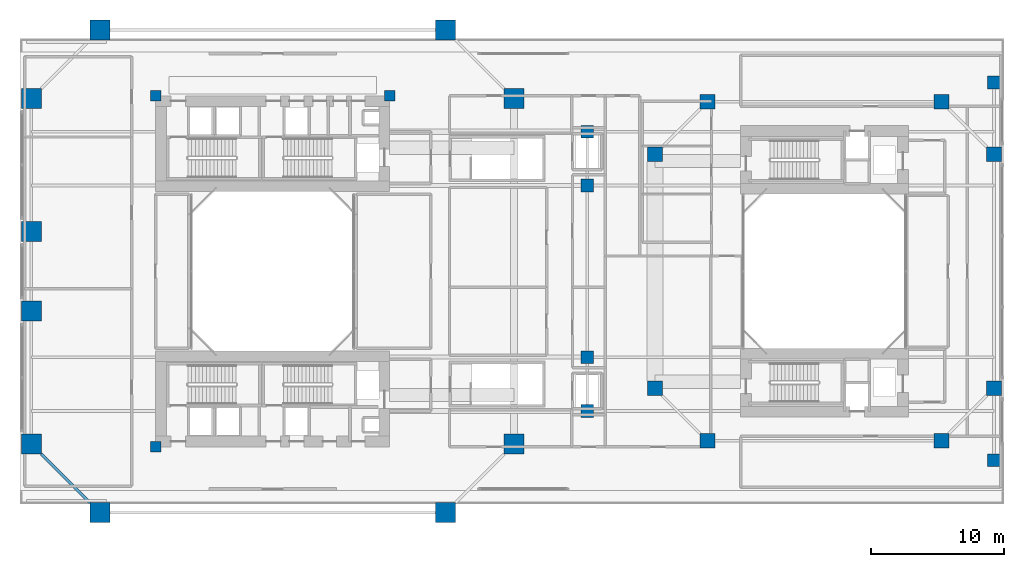
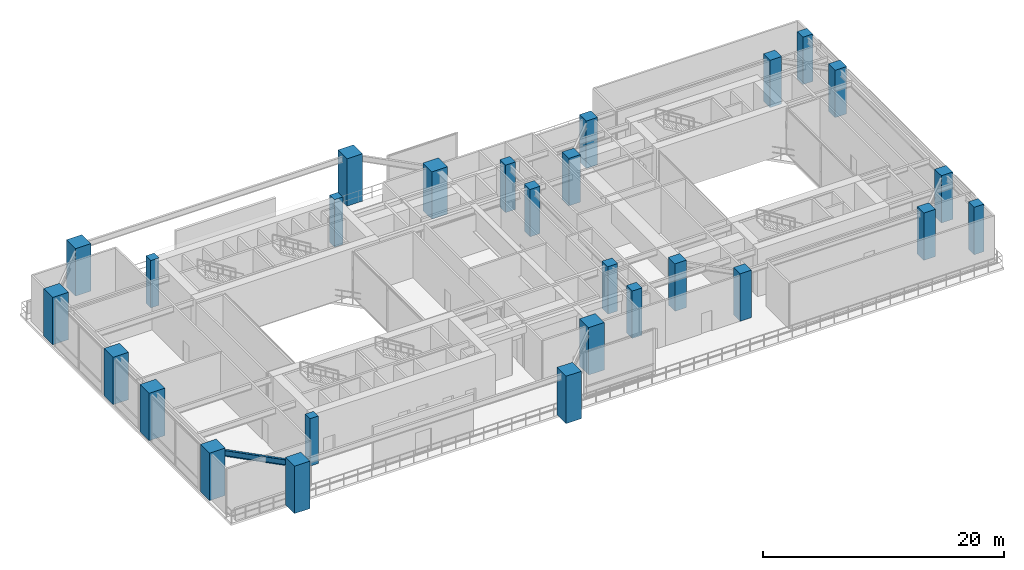
# One storey, part 1 of 19: 27 columns, 1 beam.
"""IFC4 building model written with IfcOpenShell, lengths in metres."""

from ifc_helpers import new_model, si_unit, direction, frame, origin, origin_2d, place, context, subcontext, project, spatial, rectangle, i_section, extrude, source, transform, mapped, material, material_profile, profile_set, type_object, element, save


model = new_model("IFC4")

# Units and contexts
model_context = context("Model", 3, precision=1e-05, world=origin(), true_north=direction((0.0, 1.0)))
body_context = subcontext(model_context, "Body", "Model", "MODEL_VIEW")
ifc_project = project(units=[si_unit("LENGTHUNIT", "METRE"), si_unit("AREAUNIT", "SQUARE_METRE"), si_unit("VOLUMEUNIT", "CUBIC_METRE"), si_unit("PLANEANGLEUNIT", "RADIAN"), si_unit("MASSUNIT", "GRAM", prefix="KILO"), si_unit("THERMODYNAMICTEMPERATUREUNIT", "KELVIN"), si_unit("POWERUNIT", "WATT")], contexts=[model_context])

# Site, building, storey
site_placement = place(None, origin())
site = spatial("IfcSite", under=ifc_project, at=site_placement, CompositionType="ELEMENT")
building_placement = place(site_placement, origin())
building = spatial("IfcBuilding", under=site, at=building_placement, Name="Qiaomeng Ring Towers", CompositionType="ELEMENT")
storey_placement = place(building_placement, frame((0.0, 0.0, 18.199951171875)))
storey = spatial("IfcBuildingStorey", under=building, at=storey_placement, Name="L04", CompositionType="ELEMENT", Elevation=18.199951171875)

# Columns
ifc_material_1 = material(Name="Concrete C60", Category="concrete")
ifc_material_profile_1 = material_profile(ifc_material_1, rectangle(XDim=1.5, YDim=1.5, at=origin_2d()), Name="RC COL 1500x1500")
ifc_profile_set_1 = profile_set([ifc_material_profile_1], Name="Concrete C60")
column_type_1 = type_object("IfcColumnType", Name="STR-COL-1500", PredefinedType="COLUMN", material=ifc_profile_set_1)
shared_shape_1 = source(origin(), body_context, "Body", "SweptSolid", [
    extrude(rectangle(XDim=1.5, YDim=1.5, at=origin_2d()), origin(), (0.0, 0.0, 1.0), 4.800048828125),
])
for number, where, z_axis, x_axis, name in (
    (1, (6.0, 4.85009765625, 0.0), (0.0, 0.0, 1.0), (1.0, 0.0, 0.0), "L04 column STR-COL-L04-T1-S1"),
    (2, (32.0, 4.85009765625, 0.0), (0.0, 0.0, 1.0), (1.0, 0.0, 0.0), "L04 column STR-COL-L04-T1-S2"),
    (3, (37.14990234375, 10.0, 0.0), (0.0, 0.0, 1.0), (1.0, 0.0, 0.0), "L04 column STR-COL-L04-T1-E1"),
    (4, (37.14990234375, 36.0, 0.0), (0.0, 0.0, 1.0), (1.0, 0.0, 0.0), "L04 column STR-COL-L04-T1-E4"),
    (5, (32.0, 41.14990234375, 0.0), (0.0, 0.0, 1.0), (1.0, 0.0, 0.0), "L04 column STR-COL-L04-T1-N2"),
    (6, (6.0, 41.14990234375, 0.0), (0.0, 0.0, 1.0), (1.0, 0.0, 0.0), "L04 column STR-COL-L04-T1-N1"),
    (7, (0.85009765625, 36.0, 0.0), (0.0, 0.0, 1.0), (1.0, 0.0, 0.0), "L04 column STR-COL-L04-T1-W4"),
    (8, (0.85009765625, 26.0, 0.0), (0.0, 0.0, 1.0), (1.0, 0.0, 0.0), "L04 column STR-COL-L04-T1-W3"),
    (9, (0.85009765625, 20.0, 0.0), (0.0, 0.0, 1.0), (1.0, 0.0, 0.0), "L04 column STR-COL-L04-T1-W2"),
    (10, (0.85009765625, 10.0, 0.0), (0.0, 0.0, 1.0), (1.0, 0.0, 0.0), "L04 column STR-COL-L04-T1-W1"),
):
    element("IfcColumn", number, at=place(storey_placement, frame(where, z_axis=z_axis, x_axis=x_axis)), inside=storey, type_object=column_type_1, Name=name, PredefinedType="COLUMN", context=body_context, shape_type="MappedRepresentation", body=[
        mapped(shared_shape_1, transform((0.0, 0.0, 0.0), x_axis=(1.0, 0.0, 0.0), y_axis=(0.0, 1.0, 0.0), z_axis=(0.0, 0.0, 1.0), scale=1.0)),
    ])
ifc_material_profile_2 = material_profile(ifc_material_1, rectangle(XDim=1.10009765625, YDim=1.10009765625, at=origin_2d()), Name="RC COL 1100x1100")
ifc_profile_set_2 = profile_set([ifc_material_profile_2], Name="Concrete C60")
column_type_2 = type_object("IfcColumnType", Name="STR-COL-1100-C60", PredefinedType="COLUMN", material=ifc_profile_set_2)
shared_shape_2 = source(origin(), body_context, "Body", "SweptSolid", [
    extrude(rectangle(XDim=1.10009765625, YDim=1.10009765625, at=origin_2d()), origin(), (0.0, 0.0, 1.0), 4.800048828125),
])
for number, where, z_axis, x_axis, name in (
    (11, (51.699951171875, 10.25, 0.0), (0.0, 0.0, 1.0), (1.0, 0.0, 0.0), "L04 column STR-COL-L04-T2-S1"),
    (12, (69.300048828125, 10.25, 0.0), (0.0, 0.0, 1.0), (1.0, 0.0, 0.0), "L04 column STR-COL-L04-T2-S2"),
    (13, (73.25, 14.199951171875, 0.0), (0.0, 0.0, 1.0), (1.0, 0.0, 0.0), "L04 column STR-COL-L04-T2-E1"),
    (14, (73.25, 31.800048828125, 0.0), (0.0, 0.0, 1.0), (1.0, 0.0, 0.0), "L04 column STR-COL-L04-T2-E2"),
    (15, (69.300048828125, 35.75, 0.0), (0.0, 0.0, 1.0), (1.0, 0.0, 0.0), "L04 column STR-COL-L04-T2-N2"),
    (16, (51.699951171875, 35.75, 0.0), (0.0, 0.0, 1.0), (1.0, 0.0, 0.0), "L04 column STR-COL-L04-T2-N1"),
    (17, (47.75, 14.199951171875, 0.0), (0.0, 0.0, 1.0), (1.0, 0.0, 0.0), "L04 column STR-COL-L04-T2-W1"),
    (18, (47.75, 31.800048828125, 0.0), (0.0, 0.0, 1.0), (1.0, 0.0, 0.0), "L04 column STR-COL-L04-T2-W4"),
):
    element("IfcColumn", number, at=place(storey_placement, frame(where, z_axis=z_axis, x_axis=x_axis)), inside=storey, type_object=column_type_2, Name=name, PredefinedType="COLUMN", context=body_context, shape_type="MappedRepresentation", body=[
        mapped(shared_shape_2, transform((0.0, 0.0, 0.0), x_axis=(1.0, 0.0, 0.0), y_axis=(0.0, 1.0, 0.0), z_axis=(0.0, 0.0, 1.0), scale=1.0)),
    ])
ifc_material_profile_3 = material_profile(ifc_material_1, rectangle(XDim=0.949951171875, YDim=0.949951171875, at=origin_2d()), Name="RC COL 950x950")
ifc_profile_set_3 = profile_set([ifc_material_profile_3], Name="Concrete C60")
column_type_3 = type_object("IfcColumnType", Name="STR-COL-950-C60", PredefinedType="COLUMN", material=ifc_profile_set_3)
shared_shape_3 = source(origin(), body_context, "Body", "SweptSolid", [
    extrude(rectangle(XDim=0.949951171875, YDim=0.949951171875, at=origin_2d()), origin(), (0.0, 0.0, 1.0), 4.800048828125),
])
for number, where, z_axis, x_axis, name in (
    (19, (42.64990234375, 12.5, 0.0), (0.0, 0.0, 1.0), (1.0, 0.0, 0.0), "L04 column STR-COL-L04-P1"),
    (20, (42.64990234375, 16.550048828125, 0.0), (0.0, 0.0, 1.0), (1.0, 0.0, 0.0), "L04 column STR-COL-L04-P2S"),
    (21, (42.64990234375, 29.449951171875, 0.0), (0.0, 0.0, 1.0), (1.0, 0.0, 0.0), "L04 column STR-COL-L04-P2N"),
    (22, (42.64990234375, 33.5, 0.0), (0.0, 0.0, 1.0), (1.0, 0.0, 0.0), "L04 column STR-COL-L04-P3"),
    (23, (73.25, 8.800048828125, 0.0), (0.0, 0.0, 1.0), (1.0, 0.0, 0.0), "L04 column STR-COL-L04-PES"),
    (24, (73.25, 37.199951171875, 0.0), (0.0, 0.0, 1.0), (1.0, 0.0, 0.0), "L04 column STR-COL-L04-PEN"),
):
    element("IfcColumn", number, at=place(storey_placement, frame(where, z_axis=z_axis, x_axis=x_axis)), inside=storey, type_object=column_type_3, Name=name, PredefinedType="COLUMN", context=body_context, shape_type="MappedRepresentation", body=[
        mapped(shared_shape_3, transform((0.0, 0.0, 0.0), x_axis=(1.0, 0.0, 0.0), y_axis=(0.0, 1.0, 0.0), z_axis=(0.0, 0.0, 1.0), scale=1.0)),
    ])
ifc_material_profile_4 = material_profile(ifc_material_1, rectangle(XDim=0.800048828125, YDim=0.800048828125, at=origin_2d()), Name="RC COL 800x800")
ifc_profile_set_4 = profile_set([ifc_material_profile_4], Name="Concrete C60")
column_type_4 = type_object("IfcColumnType", Name="STR-PIL-800", PredefinedType="PILASTER", material=ifc_profile_set_4)
shared_shape_4 = source(origin(), body_context, "Body", "SweptSolid", [
    extrude(rectangle(XDim=0.800048828125, YDim=0.800048828125, at=origin_2d()), origin(), (0.0, 0.0, 1.0), 4.800048828125),
])
for number, where, z_axis, x_axis, name in (
    (25, (10.199951171875, 36.199951171875, 0.0), (0.0, 0.0, 1.0), (1.0, 0.0, 0.0), "L04 column STR-PIL-L04-PL-N1"),
    (26, (10.199951171875, 9.800048828125, 0.0), (0.0, 0.0, 1.0), (1.0, 0.0, 0.0), "L04 column STR-PIL-L04-PL-S1"),
    (27, (27.800048828125, 36.199951171875, 0.0), (0.0, 0.0, 1.0), (1.0, 0.0, 0.0), "L04 column STR-PIL-L04-PL-N2"),
):
    element("IfcColumn", number, at=place(storey_placement, frame(where, z_axis=z_axis, x_axis=x_axis)), inside=storey, type_object=column_type_4, Name=name, PredefinedType="PILASTER", context=body_context, shape_type="MappedRepresentation", body=[
        mapped(shared_shape_4, transform((0.0, 0.0, 0.0), x_axis=(1.0, 0.0, 0.0), y_axis=(0.0, 1.0, 0.0), z_axis=(0.0, 0.0, 1.0), scale=1.0)),
    ])

# Beam
ifc_material_2 = material(Name="Steel Q355B", Category="steel")
ifc_material_profile_5 = material_profile(ifc_material_2, i_section(OverallWidth=0.199951171875, OverallDepth=0.60009765625, WebThickness=0.010986328125, FlangeThickness=0.01708984375, FilletRadius=0.02197265625, at=origin_2d()), Name="HN 600x200x11x17")
ifc_profile_set_5 = profile_set([ifc_material_profile_5], Name="Steel Q355B")
beam_type = type_object("IfcBeamType", Name="STR-BM-HN600", PredefinedType="BEAM", material=ifc_profile_set_5)
shared_shape_5 = source(origin(), body_context, "Body", "SweptSolid", [
    extrude(i_section(OverallWidth=0.199951171875, OverallDepth=0.60009765625, WebThickness=0.010986328125, FlangeThickness=0.01708984375, FilletRadius=0.02197265625, at=origin_2d()), origin(), (0.0, 0.0, 1.0), 5.163818359375),
])
beam_placement = place(storey_placement, frame((1.599365234375, 9.250732421875, 4.320068359375), z_axis=(0.707106781187, -0.707106781187, 0.0), x_axis=(0.707106781187, 0.707106781187, 0.0)))
element("IfcBeam", 28, at=beam_placement, inside=storey, type_object=beam_type, Name="L04 beam STR-SP-L04-T1-0", PredefinedType="BEAM", context=body_context, shape_type="MappedRepresentation", body=[
    mapped(shared_shape_5, transform((0.0, 0.0, 0.0), x_axis=(1.0, 0.0, 0.0), y_axis=(0.0, 1.0, 0.0), z_axis=(0.0, 0.0, 1.0), scale=1.0)),
])

save(model, "model.ifc")
